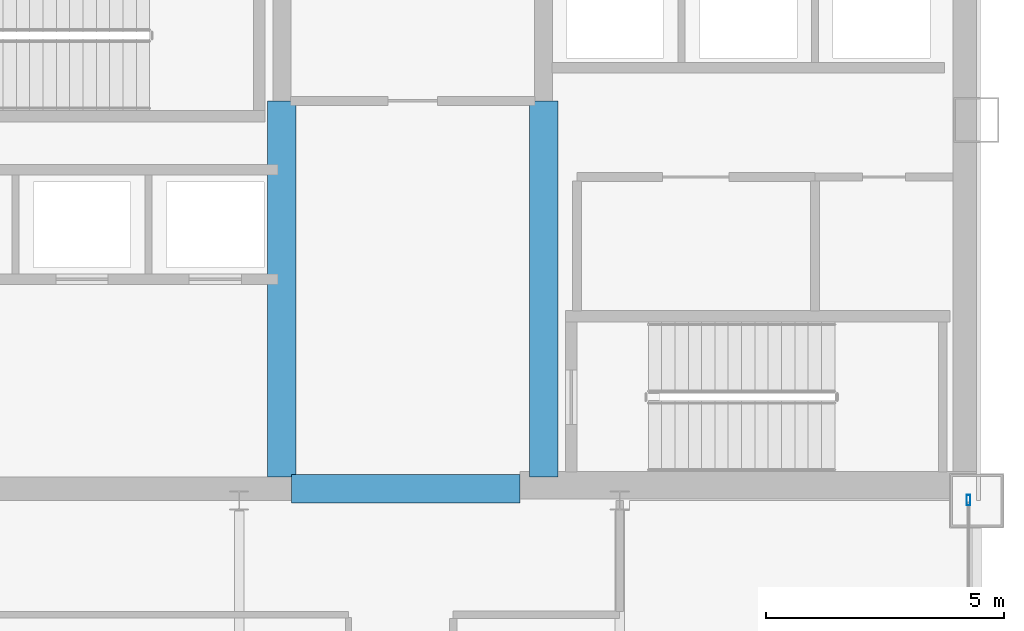
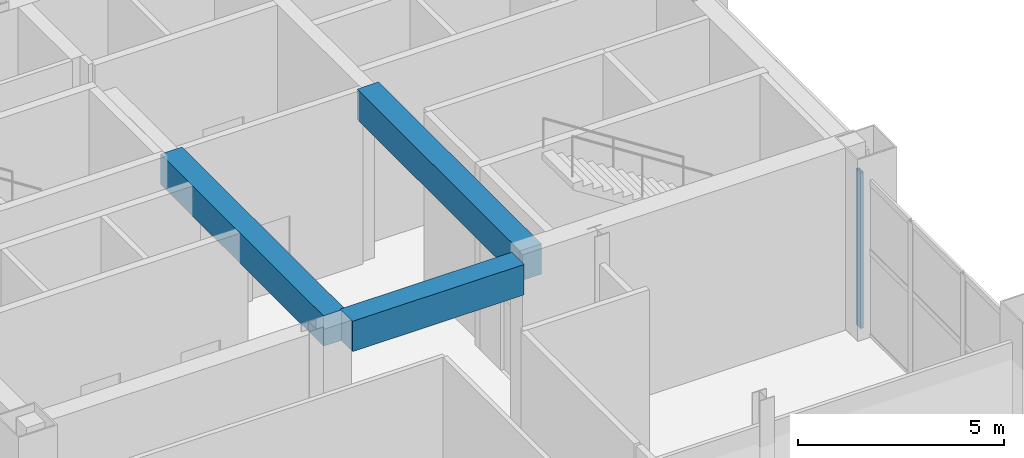
# One storey, part 16 of 22: 3 beams, 1 member, 1 element without a shape of its own.
"""IFC4 building model written with IfcOpenShell, lengths in metres."""

from ifc_helpers import new_model, si_unit, direction, frame, origin, origin_2d, place, context, subcontext, project, spatial, rectangle, hollow_rectangle, extrude, material, layer, layer_set, material_profile, profile_set, type_object, element, aggregate, save


model = new_model("IFC4")

# Units and contexts
model_context = context("Model", 3, precision=1e-05, world=origin(), true_north=direction((0.0, 1.0)))
body_context = subcontext(model_context, "Body", "Model", "MODEL_VIEW")
ifc_project = project(units=[si_unit("LENGTHUNIT", "METRE"), si_unit("AREAUNIT", "SQUARE_METRE"), si_unit("VOLUMEUNIT", "CUBIC_METRE"), si_unit("PLANEANGLEUNIT", "RADIAN"), si_unit("MASSUNIT", "GRAM", prefix="KILO")], contexts=[model_context])

# Site, building, storey
site_placement = place(None, origin())
site = spatial("IfcSite", under=ifc_project, at=site_placement, CompositionType="ELEMENT")
building_placement = place(site_placement, origin())
building = spatial("IfcBuilding", under=site, at=building_placement, Name="Qianrong Seaharbour Tower", CompositionType="ELEMENT")
storey_placement = place(building_placement, frame((0.0, 0.0, 113.60009765625)))
storey = spatial("IfcBuildingStorey", under=building, at=storey_placement, Name="L27", CompositionType="ELEMENT", Elevation=113.60009765625)

# Beams
ifc_material_1 = material(Name="Concrete C70/85", Category="concrete")
ifc_material_profile_1 = material_profile(ifc_material_1, rectangle(XDim=0.60009765625, YDim=0.89990234375, at=origin_2d()), Name="RC600x900")
ifc_profile_set_1 = profile_set([ifc_material_profile_1], Name="Concrete C70/85")
beam_type = type_object("IfcBeamType", Name="BM-LINTEL-900", PredefinedType="LINTEL", material=ifc_profile_set_1)
beam_placement = place(storey_placement, frame((49.60009765625, 36.25, 4.71484375), z_axis=(1.0, 0.0, 0.0), x_axis=(0.0, 1.0, 0.0)))
element("IfcBeam", 1, at=beam_placement, inside=storey, type_object=beam_type, Name="L27 Core Coupling Lintel Beam CBC", PredefinedType="LINTEL", context=body_context, shape_type="SweptSolid", body=[
    extrude(rectangle(XDim=0.60009765625, YDim=0.89990234375, at=origin_2d()), origin(), (0.0, 0.0, 1.0), 4.7998046875),
])
for number, where, z_axis, x_axis, name in (
    (2, (49.39990234375, 36.5, 4.71484375), (0.0, 1.0, 0.0), (-1.0, 0.0, 0.0), "L27 Internal Core Coupling Beam IW1"),
    (3, (54.89990234375, 36.5, 4.71484375), (0.0, 1.0, 0.0), (-1.0, 0.0, 0.0), "L27 Internal Core Coupling Beam IW2"),
):
    element("IfcBeam", number, at=place(storey_placement, frame(where, z_axis=z_axis, x_axis=x_axis)), inside=storey, type_object=beam_type, Name=name, PredefinedType="LINTEL", context=body_context, shape_type="SweptSolid", body=[
        extrude(rectangle(XDim=0.60009765625, YDim=0.89990234375, at=origin_2d()), origin(), (0.0, 0.0, 1.0), 7.89990234375),
    ])

# Curtain wall, member
ifc_material_2 = material(Name="Anodised aluminium 6063-T6 and laminated low-e glass", Category="aluminium")
ifc_layer = layer(ifc_material_2, 0.2099609375)
ifc_layer_set = layer_set([ifc_layer], Name="Anodised aluminium 6063-T6 and laminated low-e glass")
curtain_wall_type = type_object("IfcCurtainWallType", Name="CW-SYS-2", PredefinedType="NOTDEFINED", material=ifc_layer_set)
curtain_wall_placement = place(storey_placement, origin())
curtain_wall = element("IfcCurtainWall", 4, at=curtain_wall_placement, inside=storey, type_object=curtain_wall_type, Name="L27 Sky-Lobby Feature Curtain Wall EAST_WING", PredefinedType="NOTDEFINED")
ifc_material_3 = material(Name="Extruded aluminium 6063-T6", Category="aluminium")
ifc_material_profile_2 = material_profile(ifc_material_3, hollow_rectangle(XDim=0.080078125, YDim=0.219970703125, WallThickness=0.0048828125, at=origin_2d()), Name="ALU-MUL-220x80x5")
ifc_profile_set_2 = profile_set([ifc_material_profile_2], Name="Extruded aluminium 6063-T6")
member_type = type_object("IfcMemberType", Name="CW-MUL-220", PredefinedType="MULLION", material=ifc_profile_set_2)
member_placement = place(storey_placement, frame((63.830078125, 36.010009765625, 0.0), z_axis=(0.0, 0.0, 1.0), x_axis=(1.0, 0.0, 0.0)))
member = element("IfcMember", 5, at=member_placement, type_object=member_type, Name="CW-2 mullion 1", PredefinedType="MULLION", context=body_context, shape_type="SweptSolid", body=[
    extrude(hollow_rectangle(XDim=0.080078125, YDim=0.219970703125, WallThickness=0.0048828125, at=origin_2d()), origin(), (0.0, 0.0, 1.0), 4.625),
])
aggregate(curtain_wall, [member])

save(model, "model.ifc")
